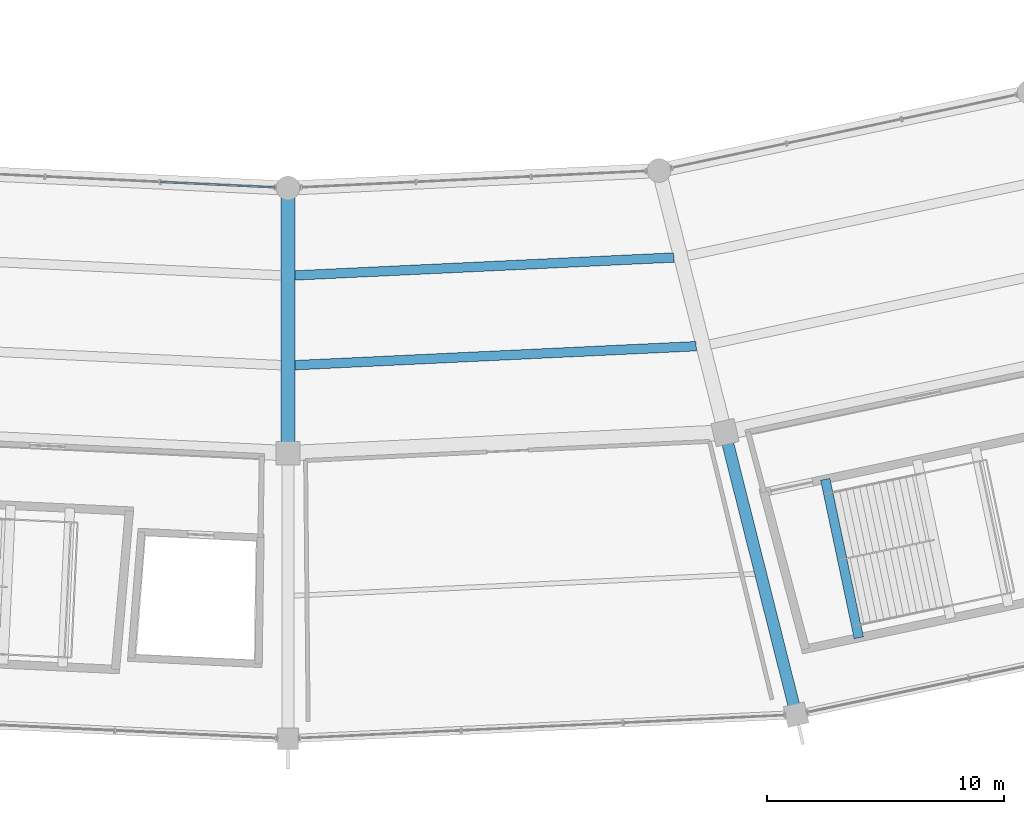
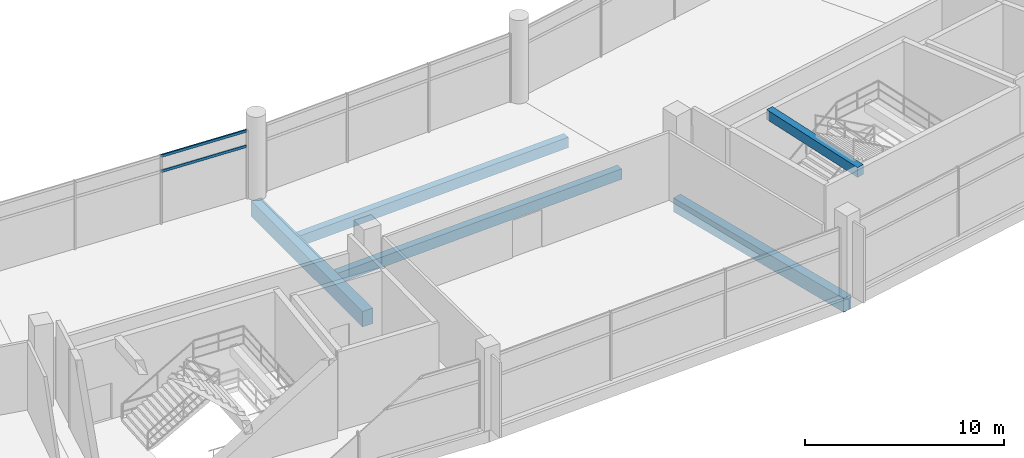
# One storey, part 30 of 184: 5 beams, 2 members, 1 element without a shape of its own.
"""IFC4 building model written with IfcOpenShell, lengths in metres."""

from ifc_helpers import new_model, si_unit, direction, frame, origin, origin_2d, place, context, subcontext, project, spatial, rectangle, hollow_rectangle, extrude, material, layer, layer_set, material_profile, profile_set, type_object, element, aggregate, save


model = new_model("IFC4")

# Units and contexts
model_context = context("Model", 3, precision=1e-05, world=origin(), true_north=direction((0.0, 1.0)))
body_context = subcontext(model_context, "Body", "Model", "MODEL_VIEW")
ifc_project = project(units=[si_unit("LENGTHUNIT", "METRE"), si_unit("AREAUNIT", "SQUARE_METRE"), si_unit("VOLUMEUNIT", "CUBIC_METRE"), si_unit("PLANEANGLEUNIT", "RADIAN"), si_unit("MASSUNIT", "GRAM", prefix="KILO")], contexts=[model_context])

# Site, building, storey
site_placement = place(None, origin())
site = spatial("IfcSite", under=ifc_project, at=site_placement, CompositionType="ELEMENT")
building_placement = place(site_placement, origin())
building = spatial("IfcBuilding", under=site, at=building_placement, Name="Kazemori Nagisa Stadium", CompositionType="ELEMENT")
storey_placement = place(building_placement, frame((0.0, 0.0, 10.5400390625)))
storey = spatial("IfcBuildingStorey", under=building, at=storey_placement, Name="L02", CompositionType="ELEMENT", Elevation=10.5400390625)

# Beams
ifc_material_1 = material(Name="Concrete C40/50 (Fc42)", Category="concrete")
ifc_material_profile_1 = material_profile(ifc_material_1, rectangle(XDim=0.39990234375, YDim=0.60009765625, at=origin_2d()), Name="RC-BM-400x600")
ifc_profile_set_1 = profile_set([ifc_material_profile_1], Name="Concrete C40/50 (Fc42)")
beam_type_1 = type_object("IfcBeamType", Name="Beam_BG-LND400X600", PredefinedType="BEAM", material=ifc_profile_set_1)
beam_1_placement = place(storey_placement, frame((145.652587890625, 26.9404296875, 4.5400390625), z_axis=(0.206997403527, -0.978341491982, 0.0), x_axis=(0.978341491982, 0.206997403527, 0.0)))
element("IfcBeam", 1, at=beam_1_placement, inside=storey, type_object=beam_type_1, Name="Core stair arrival header girder ST06-L02", PredefinedType="BEAM", context=body_context, shape_type="SweptSolid", body=[
    extrude(rectangle(XDim=0.39990234375, YDim=0.60009765625, at=origin_2d()), origin(), (0.0, 0.0, 1.0), 6.831298828125),
])
ifc_material_profile_2 = material_profile(ifc_material_1, rectangle(XDim=0.5, YDim=0.85009765625, at=origin_2d()), Name="RC-BM-500x850")
ifc_profile_set_2 = profile_set([ifc_material_profile_2], Name="Concrete C40/50 (Fc42)")
beam_type_2 = type_object("IfcBeamType", Name="Beam_BG-RC500X850", PredefinedType="BEAM", material=ifc_profile_set_2)
beam_2_placement = place(storey_placement, frame((141.427734375, 28.911376953125, -0.68505859375), z_axis=(0.244487324834, -0.969652488263, 0.0), x_axis=(0.969652488263, 0.244487324834, 0.0)))
element("IfcBeam", 2, at=beam_2_placement, inside=storey, type_object=beam_type_2, Name="Radial girder BG-RC500X850 L02 R2-R3-23", PredefinedType="BEAM", context=body_context, shape_type="SweptSolid", body=[
    extrude(rectangle(XDim=0.5, YDim=0.85009765625, at=origin_2d()), origin(), (0.0, 0.0, 1.0), 12.2705078125),
])
ifc_material_profile_3 = material_profile(ifc_material_1, rectangle(XDim=0.60009765625, YDim=0.949951171875, at=origin_2d()), Name="RC-BM-600x950")
ifc_profile_set_3 = profile_set([ifc_material_profile_3], Name="Concrete C40/50 (Fc42)")
beam_type_3 = type_object("IfcBeamType", Name="Beam_BG-RC600X950", PredefinedType="BEAM", material=ifc_profile_set_3)
beam_3_placement = place(storey_placement, frame((123.0, 39.219970703125, -0.735107421875), z_axis=(0.0, -1.0, 0.0), x_axis=(1.0, 0.0, 0.0)))
element("IfcBeam", 3, at=beam_3_placement, inside=storey, type_object=beam_type_3, Name="Radial girder BG-RC600X950 L02 R1-R2-22", PredefinedType="BEAM", context=body_context, shape_type="SweptSolid", body=[
    extrude(rectangle(XDim=0.60009765625, YDim=0.949951171875, at=origin_2d()), origin(), (0.0, 0.0, 1.0), 11.179931640625),
])
ifc_material_profile_4 = material_profile(ifc_material_1, rectangle(XDim=0.39990234375, YDim=0.64990234375, at=origin_2d()), Name="RC-BM-400x650")
ifc_profile_set_4 = profile_set([ifc_material_profile_4], Name="Concrete C40/50 (Fc42)")
beam_type_4 = type_object("IfcBeamType", Name="Beam_BJ-RC400X650", PredefinedType="JOIST", material=ifc_profile_set_4)
beam_4_placement = place(storey_placement, frame((123.294677734375, 35.535888671875, -0.5849609375), z_axis=(0.998883867028, 0.047233676462, 0.0), x_axis=(-0.047233676462, 0.998883867028, 0.0)))
element("IfcBeam", 4, at=beam_4_placement, inside=storey, type_object=beam_type_4, Name="Concourse joist BJ-RC400X650 L02 B22-1", PredefinedType="JOIST", context=body_context, shape_type="SweptSolid", body=[
    extrude(rectangle(XDim=0.39990234375, YDim=0.64990234375, at=origin_2d()), origin(), (0.0, 0.0, 1.0), 15.9921875),
])
beam_5_placement = place(storey_placement, frame((123.294677734375, 31.751953125, -0.5849609375), z_axis=(0.998884256715, 0.047225434754, 0.0), x_axis=(-0.047225434754, 0.998884256715, 0.0)))
element("IfcBeam", 5, at=beam_5_placement, inside=storey, type_object=beam_type_4, Name="Concourse joist BJ-RC400X650 L02 B22-2", PredefinedType="JOIST", context=body_context, shape_type="SweptSolid", body=[
    extrude(rectangle(XDim=0.39990234375, YDim=0.64990234375, at=origin_2d()), origin(), (0.0, 0.0, 1.0), 16.935791015625),
])

# Curtain wall, members
ifc_material_2 = material(Name="Anodised aluminium 6063-T5", Category="aluminium")
ifc_layer = layer(ifc_material_2, 0.2099609375, Name="Anodised aluminium 6063-T5", Category="aluminium")
ifc_layer_set = layer_set([ifc_layer], Name="Anodised aluminium 6063-T5")
curtain_wall_type = type_object("IfcCurtainWallType", Name="CW_L02B_73", PredefinedType="USERDEFINED", material=ifc_layer_set)
curtain_wall_placement = place(storey_placement, origin())
curtain_wall = element("IfcCurtainWall", 6, at=curtain_wall_placement, inside=storey, type_object=curtain_wall_type, Name="Unitised curtain wall CW-L02B-73 L02", ObjectType="UNITISED CURTAIN WALL", PredefinedType="USERDEFINED")
ifc_material_3 = material(Name="Aluminium 6063-T5 anodised", Category="aluminium")
ifc_material_profile_5 = material_profile(ifc_material_3, hollow_rectangle(XDim=0.080078125, YDim=0.159912109375, WallThickness=0.00390625, at=origin_2d()), Name="ALU-TRAN-80x160x4")
ifc_profile_set_5 = profile_set([ifc_material_profile_5], Name="Aluminium 6063-T5 anodised")
member_type = type_object("IfcMemberType", Name="Transom_T02", PredefinedType="USERDEFINED", material=ifc_profile_set_5)
member_1_placement = place(storey_placement, frame((117.627685546875, 39.47412109375, 3.184326171875), z_axis=(0.99888183829, -0.047276560097, 0.0), x_axis=(0.047276560097, 0.99888183829, 0.0)))
member_1 = element("IfcMember", 7, at=member_1_placement, type_object=member_type, Name="Curtain wall transom CW-L02B-73-T3-mid", ObjectType="TRANSOM", PredefinedType="USERDEFINED", context=body_context, shape_type="SweptSolid", body=[
    extrude(hollow_rectangle(XDim=0.080078125, YDim=0.159912109375, WallThickness=0.00390625, at=origin_2d()), origin(), (0.0, 0.0, 1.0), 4.8232421875),
])
member_2_placement = place(storey_placement, frame((117.627685546875, 39.47412109375, 4.119873046875), z_axis=(0.99888183829, -0.047276560097, 0.0), x_axis=(0.047276560097, 0.99888183829, 0.0)))
member_2 = element("IfcMember", 8, at=member_2_placement, type_object=member_type, Name="Curtain wall transom CW-L02B-73-T3-head", ObjectType="TRANSOM", PredefinedType="USERDEFINED", context=body_context, shape_type="SweptSolid", body=[
    extrude(hollow_rectangle(XDim=0.080078125, YDim=0.159912109375, WallThickness=0.00390625, at=origin_2d()), origin(), (0.0, 0.0, 1.0), 4.8232421875),
])
aggregate(curtain_wall, [member_1, member_2])

save(model, "model.ifc")
